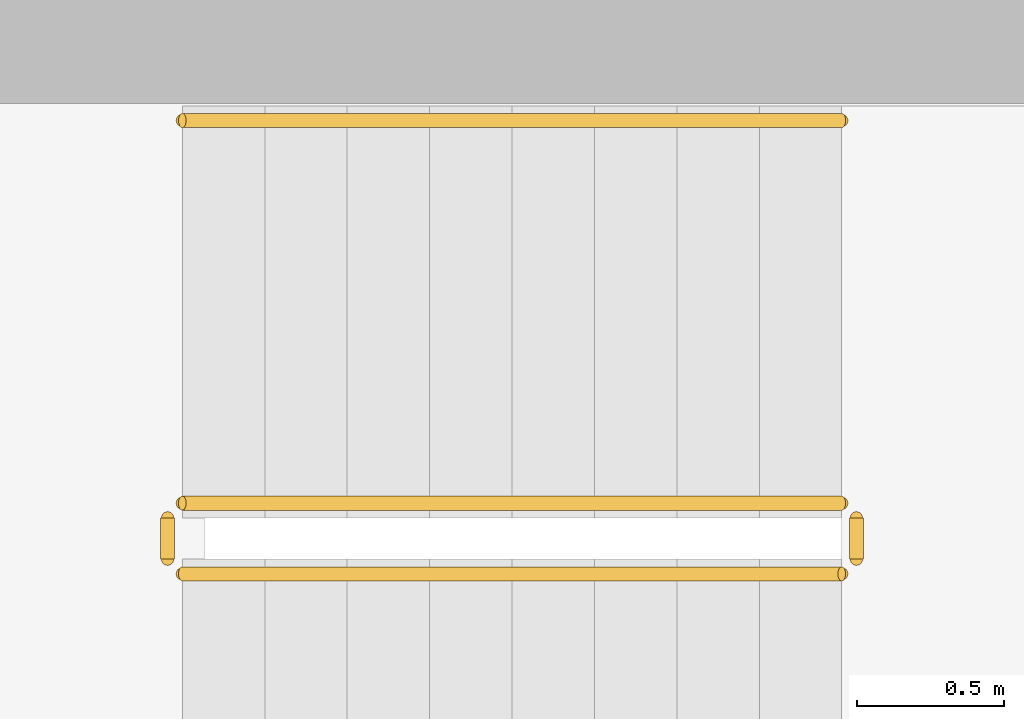
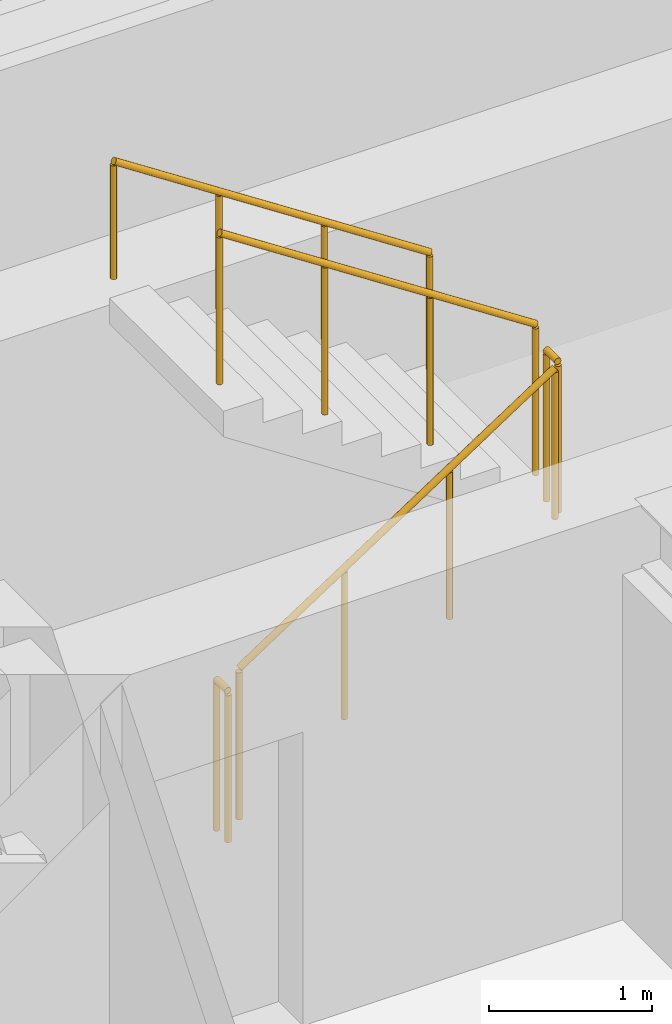
# One storey, part 23 of 27: 5 railings.
"""IFC4 building model written with IfcOpenShell, lengths in metres."""

from ifc_helpers import new_model, si_unit, direction, frame, origin, origin_2d, place, context, subcontext, project, spatial, circle, extrude, material, type_object, element, save


model = new_model("IFC4")

# Units and contexts
model_context = context("Model", 3, precision=1e-05, world=origin(), true_north=direction((0.0, 1.0)))
body_context = subcontext(model_context, "Body", "Model", "MODEL_VIEW")
ifc_project = project(units=[si_unit("LENGTHUNIT", "METRE"), si_unit("AREAUNIT", "SQUARE_METRE"), si_unit("VOLUMEUNIT", "CUBIC_METRE"), si_unit("PLANEANGLEUNIT", "RADIAN"), si_unit("MASSUNIT", "GRAM", prefix="KILO")], contexts=[model_context])

# Site, building, storey
site_placement = place(None, origin())
site = spatial("IfcSite", under=ifc_project, at=site_placement, CompositionType="ELEMENT")
building_placement = place(site_placement, origin())
building = spatial("IfcBuilding", under=site, at=building_placement, Name="Mirazonda Arch Towers", CompositionType="ELEMENT")
storey_placement = place(building_placement, frame((0.0, 0.0, 55.39990234375)))
storey = spatial("IfcBuildingStorey", under=building, at=storey_placement, Name="L15", CompositionType="ELEMENT", Elevation=55.39990234375)

# Railings
ifc_material = material(Name="Architectural Brushed Steel S355", Category="steel")
railing_type_1 = type_object("IfcRailingType", Name="GUARD-STAIR-1120", PredefinedType="GUARDRAIL", material=ifc_material)
railing_1_placement = place(storey_placement, frame((13.85009765625, 39.169921875, 0.183349609375)))
element("IfcRailing", 1, at=railing_1_placement, inside=storey, type_object=railing_type_1, Name="L15 ST-T1N stair guard 1", PredefinedType="GUARDRAIL", context=body_context, shape_type="SweptSolid", body=[
    extrude(circle(Radius=0.02392578125, at=origin_2d()), frame((0.0, 0.0, 1.1259765625), z_axis=(0.836595146698, 0.0, 0.547821650285), x_axis=(0.0, 1.0, 0.0)), (0.0, 0.0, 1.0), 2.677490234375),
    extrude(circle(Radius=0.02099609375, at=origin_2d()), origin(), (0.0, 0.0, 1.0), 1.101806640625),
    extrude(circle(Radius=0.02099609375, at=origin_2d()), frame((0.74658203125, 0.0, 0.489013671875)), (0.0, 0.0, 1.0), 1.101806640625),
    extrude(circle(Radius=0.02099609375, at=origin_2d()), frame((1.493408203125, 0.0, 0.977783203125)), (0.0, 0.0, 1.0), 1.101806640625),
    extrude(circle(Radius=0.02099609375, at=origin_2d()), frame((2.239990234375, 0.0, 1.466796875)), (0.0, 0.0, 1.0), 1.101806640625),
])
railing_2_placement = place(storey_placement, frame((16.139892578125, 39.219970703125, 1.650146484375)))
element("IfcRailing", 2, at=railing_2_placement, inside=storey, type_object=railing_type_1, Name="L15 ST-T1N stair guard 2", PredefinedType="GUARDRAIL", context=body_context, shape_type="SweptSolid", body=[
    extrude(circle(Radius=0.02392578125, at=origin_2d()), frame((0.0, 0.0, 1.1259765625), z_axis=(0.0, 1.0, 0.0), x_axis=(-1.0, 0.0, 0.0)), (0.0, 0.0, 1.0), 0.14013671875),
    extrude(circle(Radius=0.02099609375, at=origin_2d()), origin(), (0.0, 0.0, 1.0), 1.101806640625),
    extrude(circle(Radius=0.02099609375, at=origin_2d()), frame((0.0, 0.14013671875, 0.0)), (0.0, 0.0, 1.0), 1.101806640625),
])
railing_3_placement = place(storey_placement, frame((16.090087890625, 39.409912109375, 1.83349609375)))
element("IfcRailing", 3, at=railing_3_placement, inside=storey, type_object=railing_type_1, Name="L15 ST-T1N stair guard 3", PredefinedType="GUARDRAIL", context=body_context, shape_type="SweptSolid", body=[
    extrude(circle(Radius=0.02392578125, at=origin_2d()), frame((0.0, 0.0, 1.1259765625), z_axis=(-0.836636935527, 0.0, 0.547757827979), x_axis=(0.0, -1.0, 0.0)), (0.0, 0.0, 1.0), 2.677490234375),
    extrude(circle(Radius=0.02099609375, at=origin_2d()), origin(), (0.0, 0.0, 1.0), 1.101806640625),
    extrude(circle(Radius=0.02099609375, at=origin_2d()), frame((-0.74658203125, 0.0, 0.48876953125)), (0.0, 0.0, 1.0), 1.101806640625),
    extrude(circle(Radius=0.02099609375, at=origin_2d()), frame((-1.493408203125, 0.0, 0.977783203125)), (0.0, 0.0, 1.0), 1.101806640625),
    extrude(circle(Radius=0.02099609375, at=origin_2d()), frame((-2.239990234375, 0.0, 1.466552734375)), (0.0, 0.0, 1.0), 1.101806640625),
])
railing_4_placement = place(storey_placement, frame((13.800048828125, 39.219970703125, 0.0)))
element("IfcRailing", 4, at=railing_4_placement, inside=storey, type_object=railing_type_1, Name="L15 ST-T1N stair guard 4", PredefinedType="GUARDRAIL", context=body_context, shape_type="SweptSolid", body=[
    extrude(circle(Radius=0.02392578125, at=origin_2d()), frame((0.0, 0.0, 1.1259765625), z_axis=(0.0, 1.0, 0.0), x_axis=(-1.0, 0.0, 0.0)), (0.0, 0.0, 1.0), 0.14013671875),
    extrude(circle(Radius=0.02099609375, at=origin_2d()), origin(), (0.0, 0.0, 1.0), 1.101806640625),
    extrude(circle(Radius=0.02099609375, at=origin_2d()), frame((0.0, 0.14013671875, 0.0)), (0.0, 0.0, 1.0), 1.101806640625),
])
railing_type_2 = type_object("IfcRailingType", Name="HANDRAIL-915", PredefinedType="HANDRAIL", material=ifc_material)
railing_5_placement = place(storey_placement, frame((16.090087890625, 40.7099609375, 1.83349609375)))
element("IfcRailing", 5, at=railing_5_placement, inside=storey, type_object=railing_type_2, Name="L15 ST-T1N stair handrail 2", PredefinedType="HANDRAIL", context=body_context, shape_type="SweptSolid", body=[
    extrude(circle(Radius=0.02392578125, at=origin_2d()), frame((0.0, 0.0, 0.8759765625), z_axis=(-0.836636935527, 0.0, 0.547757827979), x_axis=(0.0, -1.0, 0.0)), (0.0, 0.0, 1.0), 2.677490234375),
    extrude(circle(Radius=0.02099609375, at=origin_2d()), origin(), (0.0, 0.0, 1.0), 0.851806640625),
    extrude(circle(Radius=0.02099609375, at=origin_2d()), frame((-0.74658203125, 0.0, 0.48876953125)), (0.0, 0.0, 1.0), 0.851806640625),
    extrude(circle(Radius=0.02099609375, at=origin_2d()), frame((-1.493408203125, 0.0, 0.977783203125)), (0.0, 0.0, 1.0), 0.851806640625),
    extrude(circle(Radius=0.02099609375, at=origin_2d()), frame((-2.239990234375, 0.0, 1.466552734375)), (0.0, 0.0, 1.0), 0.851806640625),
])

save(model, "model.ifc")
